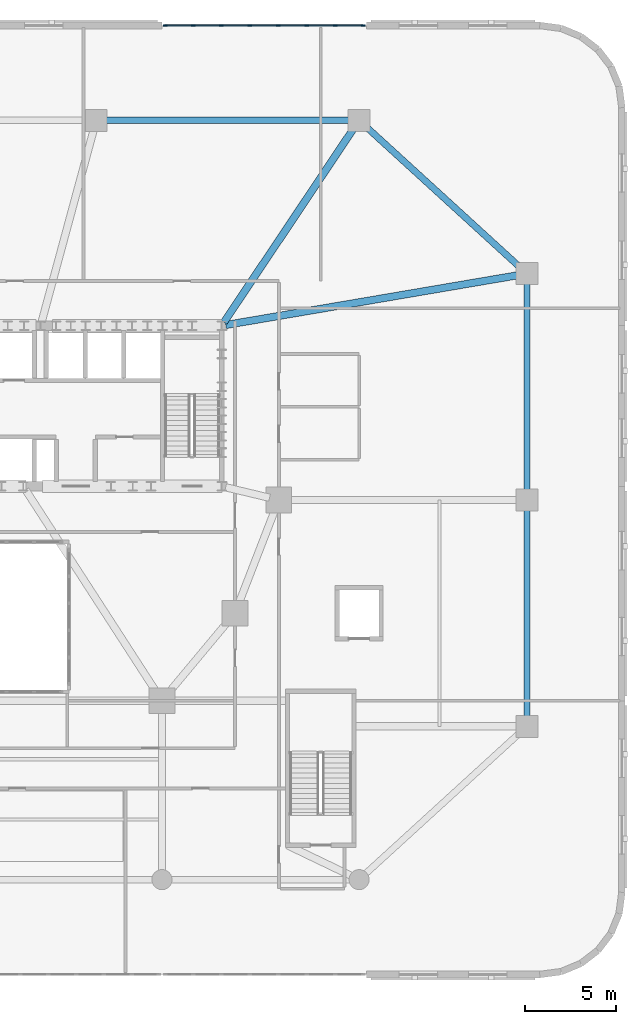
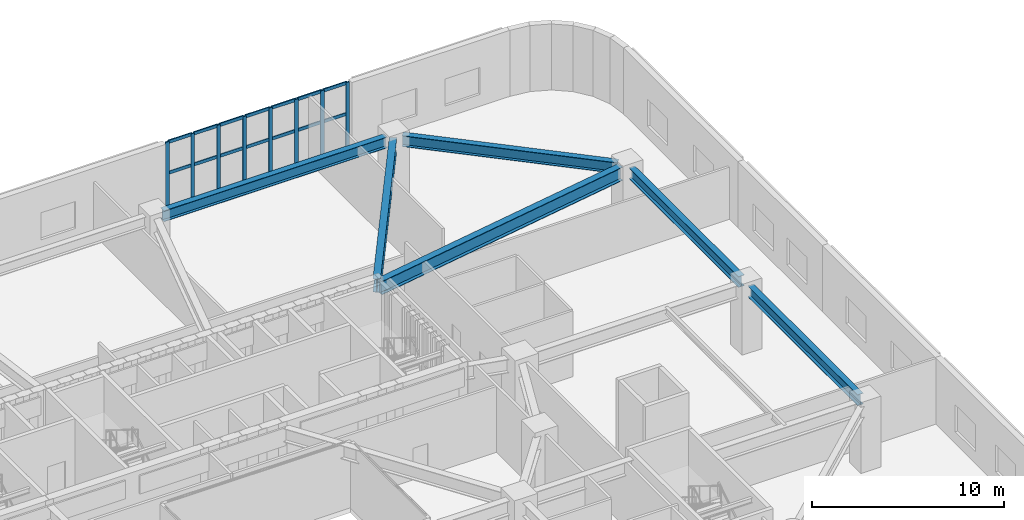
# One storey, part 10 of 25: 29 members, 6 beams, 1 element without a shape of its own.
"""IFC4 building model written with IfcOpenShell, lengths in metres."""

import ifcopenshell
import ifcopenshell.guid

model = None  # the IFC model being written
_history = None  # IfcOwnerHistory: only IFC2X3 demands one
_inside = {}  # id of a spatial element -> (the spatial element, [elements in it])
_under = {}  # id of a project, library or spatial element -> (it, [spatial elements below it])
_declared = {}  # id of a project -> (the project, [libraries it declares])
_typed = {}  # id of a type object -> (the type object, [elements of that type])
_made_of = {}  # id of a material, layer set ... -> (it, [elements and type objects made of it])


def new_model(schema):
    """Start an empty IFC model of exactly this schema.

    Asked for "IFC4X3", IfcOpenShell would pick the latest addendum, in which some entities
    have other attributes; the version numbers below select the first issue.
    IFC2X3 requires an IfcOwnerHistory on every rooted entity: one is made here for all.
    """
    global model, _history
    if schema == "IFC4X3":
        model = ifcopenshell.file(schema_version=(4, 3, 0, 0))
    else:
        model = ifcopenshell.file(schema=schema)
    _inside.clear()
    _under.clear()
    _declared.clear()
    _typed.clear()
    _made_of.clear()
    _history = None
    if model.schema == "IFC2X3":
        org = make("IfcOrganization", Name="unknown")
        user = make(
            "IfcPersonAndOrganization",
            ThePerson=make("IfcPerson", FamilyName="unknown"),
            TheOrganization=org,
        )
        app = make(
            "IfcApplication",
            ApplicationDeveloper=org,
            Version="unknown",
            ApplicationFullName="unknown",
            ApplicationIdentifier="unknown",
        )
        _history = make(
            "IfcOwnerHistory",
            OwningUser=user,
            OwningApplication=app,
            ChangeAction="ADDED",
            CreationDate=0,
        )
    return model


def make(cls, **values):
    """One entity of the class cls with the attributes given. An attribute that is None is left unset."""
    return model.create_entity(
        cls, **{name: value for name, value in values.items() if value is not None}
    )


def rooted(cls, **values):
    """An entity with a GlobalId (a new one), such as an element, a storey or a relation."""
    return make(cls, GlobalId=ifcopenshell.guid.new(), OwnerHistory=_history, **values)


def si_unit(unit_type, name, prefix=None):
    """IfcSIUnit, for example si_unit("LENGTHUNIT", "METRE", prefix="MILLI")."""
    return make("IfcSIUnit", UnitType=unit_type, Prefix=prefix, Name=name)


def assignment(units):
    """IfcUnitAssignment: the units of a project."""
    return None if units is None else make("IfcUnitAssignment", Units=units)


def point(xyz):
    """IfcCartesianPoint."""
    return None if xyz is None else make("IfcCartesianPoint", Coordinates=xyz)


def direction(xyz):
    """IfcDirection."""
    return None if xyz is None else make("IfcDirection", DirectionRatios=xyz)


def frame(location, z_axis=None, x_axis=None):
    """IfcAxis2Placement3D, a coordinate frame: its origin and axes. An axis left out is left unset."""
    return make(
        "IfcAxis2Placement3D",
        Location=point(location),
        Axis=direction(z_axis),
        RefDirection=direction(x_axis),
    )


def frame_2d(location, x_axis=None):
    """IfcAxis2Placement2D, a coordinate frame in the plane: its origin and x axis."""
    return make(
        "IfcAxis2Placement2D", Location=point(location), RefDirection=direction(x_axis)
    )


def origin():
    """The frame at (0, 0, 0) with its axes left unset."""
    return frame((0.0, 0.0, 0.0))


def origin_2d():
    """The frame at (0, 0) in the plane with its x axis left unset."""
    return frame_2d((0.0, 0.0))


def place(relative_to, where):
    """IfcLocalPlacement: puts the frame where relative to a parent placement (None: the world)."""
    return make(
        "IfcLocalPlacement", PlacementRelTo=relative_to, RelativePlacement=where
    )


def context(
    kind, dimensions, precision=None, world=None, true_north=None, identifier=None
):
    """IfcGeometricRepresentationContext, for example the 3D "Model" context."""
    return make(
        "IfcGeometricRepresentationContext",
        ContextIdentifier=identifier,
        ContextType=kind,
        CoordinateSpaceDimension=dimensions,
        Precision=precision,
        WorldCoordinateSystem=world,
        TrueNorth=true_north,
    )


def subcontext(parent, identifier, kind, view, scale=None):
    """IfcGeometricRepresentationSubContext, for example "Body" below "Model"."""
    return make(
        "IfcGeometricRepresentationSubContext",
        ContextIdentifier=identifier,
        ContextType=kind,
        ParentContext=parent,
        TargetScale=scale,
        TargetView=view,
    )


def project(units=None, contexts=None):
    """IfcProject with its units and contexts."""
    return rooted(
        "IfcProject",
        Name="project",
        RepresentationContexts=contexts,
        UnitsInContext=assignment(units),
    )


def spatial(cls, under=None, at=None, **own):
    """A site, building, storey or space (cls), placed at a placement, below another one or the project."""
    s = rooted(cls, ObjectPlacement=at, **own)
    if under is not None:
        _under.setdefault(under.id(), (under, []))[1].append(s)
    return s


def profile(cls, at=None, kind="AREA", **sizes):
    """A parametric profile (cls). Its sizes go by their IFC names, for example OverallWidth=200.0."""
    return make(cls, ProfileType=kind, Position=at, **sizes)


def rectangle(**sizes):
    """IfcRectangleProfileDef."""
    return profile("IfcRectangleProfileDef", **sizes)


def i_section(**sizes):
    """IfcIShapeProfileDef."""
    return profile("IfcIShapeProfileDef", **sizes)


def extrude(swept, where, along, depth):
    """IfcExtrudedAreaSolid: the profile swept, set in the frame where, extruded along a direction by depth."""
    return make(
        "IfcExtrudedAreaSolid",
        SweptArea=swept,
        Position=where,
        ExtrudedDirection=direction(along),
        Depth=depth,
    )


def shape(context_of_items, identifier, shape_type, items):
    """IfcShapeRepresentation: the items that make up one representation, for example the "Body"."""
    return make(
        "IfcShapeRepresentation",
        ContextOfItems=context_of_items,
        RepresentationIdentifier=identifier,
        RepresentationType=shape_type,
        Items=items,
    )


def material(Name=None, Category=None):
    """IfcMaterial."""
    return make("IfcMaterial", Name=Name, Category=Category)


def material_profile(
    of_material, cross_section, Name=None, Category=None, Priority=None
):
    """IfcMaterialProfile: a cross section and its material."""
    return make(
        "IfcMaterialProfile",
        Name=Name,
        Material=of_material,
        Profile=cross_section,
        Priority=Priority,
        Category=Category,
    )


def profile_set(profiles, Name=None, composite=None):
    """IfcMaterialProfileSet."""
    return make(
        "IfcMaterialProfileSet",
        Name=Name,
        MaterialProfiles=profiles,
        CompositeProfile=composite,
    )


def made_of(thing, what):
    """Note that an element or type object is made of a material, layer set ...; save() writes the relation."""
    if what is not None:
        _made_of.setdefault(what.id(), (what, []))[1].append(thing)
    return thing


def type_object(cls, material=None, **own):
    """A type object (cls), such as IfcWallType, which elements share."""
    return made_of(rooted(cls, **own), material)


def element(
    cls,
    number,
    at=None,
    inside=None,
    cuts=None,
    type_object=None,
    material=None,
    context=None,
    identifier="Body",
    shape_type=None,
    held_by="IfcProductDefinitionShape",
    body=None,
    shapes=None,
    **own,
):
    """One element of the class cls, such as IfcWall. Its Tag is "e" and its number.

    at: its placement. inside: the storey or other place that contains it. cuts: it is an
    opening in that element (IfcRelVoidsElement). A single representation is given by context,
    identifier, shape_type and body (its items); several are given by shapes. held_by: the class
    of the entity that holds the representations. save() writes the other relations.
    """
    e = rooted(cls, Tag="e%d" % number, ObjectPlacement=at, **own)
    if body is not None:
        shapes = [shape(context, identifier, shape_type, body)]
    if shapes is not None:
        e.Representation = make(held_by, Representations=shapes)
    if inside is not None:
        _inside.setdefault(inside.id(), (inside, []))[1].append(e)
    if cuts is not None:
        rooted(
            "IfcRelVoidsElement", RelatingBuildingElement=cuts, RelatedOpeningElement=e
        )
    if type_object is not None:
        _typed.setdefault(type_object.id(), (type_object, []))[1].append(e)
    return made_of(e, material)


def aggregate(whole, parts):
    """IfcRelAggregates: a whole, such as a stair, and the parts it consists of."""
    return rooted("IfcRelAggregates", RelatingObject=whole, RelatedObjects=parts)


def save(model, path):
    """Write the relations noted so far, then the file.

    IfcRelAggregates (storeys below a building ...), IfcRelContainedInSpatialStructure (elements
    in a storey), IfcRelDefinesByType, IfcRelAssociatesMaterial and IfcRelDeclares: one each for
    every whole, place, type object, material and project.
    """
    for whole, parts in _under.values():
        aggregate(whole, parts)
    for where, things in _inside.values():
        rooted(
            "IfcRelContainedInSpatialStructure",
            RelatedElements=things,
            RelatingStructure=where,
        )
    for kind, things in _typed.values():
        rooted("IfcRelDefinesByType", RelatedObjects=things, RelatingType=kind)
    for what, things in _made_of.values():
        rooted("IfcRelAssociatesMaterial", RelatedObjects=things, RelatingMaterial=what)
    for by, libraries in _declared.values():
        rooted("IfcRelDeclares", RelatingContext=by, RelatedDefinitions=libraries)
    model.write(path)


model = new_model("IFC4")

# Units and contexts
model_context = context("Model", 3, precision=1e-05, world=origin(), true_north=direction((0.0, 1.0)))
body_context = subcontext(model_context, "Body", "Model", "MODEL_VIEW")
ifc_project = project(units=[si_unit("LENGTHUNIT", "METRE"), si_unit("AREAUNIT", "SQUARE_METRE"), si_unit("VOLUMEUNIT", "CUBIC_METRE"), si_unit("PLANEANGLEUNIT", "RADIAN"), si_unit("MASSUNIT", "GRAM", prefix="KILO")], contexts=[model_context])

# Site, building, storey
site_placement = place(None, origin())
site = spatial("IfcSite", under=ifc_project, at=site_placement, CompositionType="ELEMENT")
building_placement = place(site_placement, origin())
building = spatial("IfcBuilding", under=site, at=building_placement, Name="Haldorwick Loom Tower", CompositionType="ELEMENT")
storey_placement = place(building_placement, frame((0.0, 0.0, 6.0)))
storey = spatial("IfcBuildingStorey", under=building, at=storey_placement, Name="L01", CompositionType="ELEMENT", Elevation=6.0)

# Curtain wall, members
ifc_material_1 = material(Name="Thermally Broken Anodized Aluminium Curtain Wall Framing", Category="aluminium")
curtain_wall_type = type_object("IfcCurtainWallType", Name="ARC-CW-01", PredefinedType="NOTDEFINED", material=ifc_material_1)
curtain_wall_placement = place(storey_placement, origin())
curtain_wall = element("IfcCurtainWall", 1, at=curtain_wall_placement, inside=storey, type_object=curtain_wall_type, Name="L01 Facade Curtain Wall CW-01 Bay 18", PredefinedType="NOTDEFINED")
ifc_material_profile_1 = material_profile(ifc_material_1, rectangle(XDim=0.074951171875, YDim=0.219970703125, at=origin_2d()), Name="ALU_MUL_75X220", Category="aluminium")
ifc_profile_set_1 = profile_set([ifc_material_profile_1], Name="Thermally Broken Anodized Aluminium Curtain Wall Framing")
member_type_1 = type_object("IfcMemberType", Name="ARC-CWM-01", PredefinedType="MULLION", material=ifc_profile_set_1)
member_1_placement = place(storey_placement, frame((57.822509765625, 52.0, 0.0), z_axis=(0.0, 0.0, 1.0), x_axis=(0.0, -1.0, 0.0)))
member_1 = element("IfcMember", 2, at=member_1_placement, type_object=member_type_1, Name="CW-01 mullion 1", PredefinedType="MULLION", context=body_context, shape_type="SweptSolid", body=[
    extrude(rectangle(XDim=0.074951171875, YDim=0.219970703125, at=origin_2d()), origin(), (0.0, 0.0, 1.0), 4.199951171875),
])
member_2_placement = place(storey_placement, frame((56.300048828125, 52.0, 0.0), z_axis=(0.0, 0.0, 1.0), x_axis=(0.0, -1.0, 0.0)))
member_2 = element("IfcMember", 3, at=member_2_placement, type_object=member_type_1, Name="CW-01 mullion 2", PredefinedType="MULLION", context=body_context, shape_type="SweptSolid", body=[
    extrude(rectangle(XDim=0.074951171875, YDim=0.219970703125, at=origin_2d()), origin(), (0.0, 0.0, 1.0), 4.199951171875),
])
member_3_placement = place(storey_placement, frame((54.739990234375, 52.0, 0.0), z_axis=(0.0, 0.0, 1.0), x_axis=(0.0, -1.0, 0.0)))
member_3 = element("IfcMember", 4, at=member_3_placement, type_object=member_type_1, Name="CW-01 mullion 3", PredefinedType="MULLION", context=body_context, shape_type="SweptSolid", body=[
    extrude(rectangle(XDim=0.074951171875, YDim=0.219970703125, at=origin_2d()), origin(), (0.0, 0.0, 1.0), 4.199951171875),
])
member_4_placement = place(storey_placement, frame((53.179931640625, 52.0, 0.0), z_axis=(0.0, 0.0, 1.0), x_axis=(0.0, -1.0, 0.0)))
member_4 = element("IfcMember", 5, at=member_4_placement, type_object=member_type_1, Name="CW-01 mullion 4", PredefinedType="MULLION", context=body_context, shape_type="SweptSolid", body=[
    extrude(rectangle(XDim=0.074951171875, YDim=0.219970703125, at=origin_2d()), origin(), (0.0, 0.0, 1.0), 4.199951171875),
])
member_5_placement = place(storey_placement, frame((51.6201171875, 52.0, 0.0), z_axis=(0.0, 0.0, 1.0), x_axis=(0.0, -1.0, 0.0)))
member_5 = element("IfcMember", 6, at=member_5_placement, type_object=member_type_1, Name="CW-01 mullion 5", PredefinedType="MULLION", context=body_context, shape_type="SweptSolid", body=[
    extrude(rectangle(XDim=0.074951171875, YDim=0.219970703125, at=origin_2d()), origin(), (0.0, 0.0, 1.0), 4.199951171875),
])
member_6_placement = place(storey_placement, frame((50.06005859375, 52.0, 0.0), z_axis=(0.0, 0.0, 1.0), x_axis=(0.0, -1.0, 0.0)))
member_6 = element("IfcMember", 7, at=member_6_placement, type_object=member_type_1, Name="CW-01 mullion 6", PredefinedType="MULLION", context=body_context, shape_type="SweptSolid", body=[
    extrude(rectangle(XDim=0.074951171875, YDim=0.219970703125, at=origin_2d()), origin(), (0.0, 0.0, 1.0), 4.199951171875),
])
member_7_placement = place(storey_placement, frame((48.5, 52.0, 0.0), z_axis=(0.0, 0.0, 1.0), x_axis=(0.0, -1.0, 0.0)))
member_7 = element("IfcMember", 8, at=member_7_placement, type_object=member_type_1, Name="CW-01 mullion 7", PredefinedType="MULLION", context=body_context, shape_type="SweptSolid", body=[
    extrude(rectangle(XDim=0.074951171875, YDim=0.219970703125, at=origin_2d()), origin(), (0.0, 0.0, 1.0), 4.199951171875),
])
member_8_placement = place(storey_placement, frame((46.9775390625, 52.0, 0.0), z_axis=(0.0, 0.0, 1.0), x_axis=(0.0, -1.0, 0.0)))
member_8 = element("IfcMember", 9, at=member_8_placement, type_object=member_type_1, Name="CW-01 mullion 8", PredefinedType="MULLION", context=body_context, shape_type="SweptSolid", body=[
    extrude(rectangle(XDim=0.074951171875, YDim=0.219970703125, at=origin_2d()), origin(), (0.0, 0.0, 1.0), 4.199951171875),
])
ifc_material_profile_2 = material_profile(ifc_material_1, rectangle(XDim=0.074951171875, YDim=0.199951171875, at=origin_2d()), Name="ALU_TRN_75X200", Category="aluminium")
ifc_profile_set_2 = profile_set([ifc_material_profile_2], Name="Thermally Broken Anodized Aluminium Curtain Wall Framing")
member_type_2 = type_object("IfcMemberType", Name="ARC-CWT-01", PredefinedType="USERDEFINED", material=ifc_profile_set_2)
member_9_placement = place(storey_placement, frame((57.784912109375, 52.0, 0.03759765625), z_axis=(-1.0, 0.0, 0.0), x_axis=(0.0, -1.0, 0.0)))
member_9 = element("IfcMember", 10, at=member_9_placement, type_object=member_type_2, Name="CW-01 transom 1.1", ObjectType="TRANSOM", PredefinedType="USERDEFINED", context=body_context, shape_type="SweptSolid", body=[
    extrude(rectangle(XDim=0.074951171875, YDim=0.199951171875, at=origin_2d()), origin(), (0.0, 0.0, 1.0), 1.447509765625),
])
member_10_placement = place(storey_placement, frame((57.784912109375, 52.0, 2.199951171875), z_axis=(-1.0, 0.0, 0.0), x_axis=(0.0, -1.0, 0.0)))
member_10 = element("IfcMember", 11, at=member_10_placement, type_object=member_type_2, Name="CW-01 transom 1.2", ObjectType="TRANSOM", PredefinedType="USERDEFINED", context=body_context, shape_type="SweptSolid", body=[
    extrude(rectangle(XDim=0.074951171875, YDim=0.199951171875, at=origin_2d()), origin(), (0.0, 0.0, 1.0), 1.447509765625),
])
member_11_placement = place(storey_placement, frame((57.784912109375, 52.0, 4.16259765625), z_axis=(-1.0, 0.0, 0.0), x_axis=(0.0, -1.0, 0.0)))
member_11 = element("IfcMember", 12, at=member_11_placement, type_object=member_type_2, Name="CW-01 transom 1.3", ObjectType="TRANSOM", PredefinedType="USERDEFINED", context=body_context, shape_type="SweptSolid", body=[
    extrude(rectangle(XDim=0.074951171875, YDim=0.199951171875, at=origin_2d()), origin(), (0.0, 0.0, 1.0), 1.447509765625),
])
member_12_placement = place(storey_placement, frame((56.262451171875, 52.0, 0.03759765625), z_axis=(-1.0, 0.0, 0.0), x_axis=(0.0, -1.0, 0.0)))
member_12 = element("IfcMember", 13, at=member_12_placement, type_object=member_type_2, Name="CW-01 transom 2.1", ObjectType="TRANSOM", PredefinedType="USERDEFINED", context=body_context, shape_type="SweptSolid", body=[
    extrude(rectangle(XDim=0.074951171875, YDim=0.199951171875, at=origin_2d()), origin(), (0.0, 0.0, 1.0), 1.48486328125),
])
member_13_placement = place(storey_placement, frame((56.262451171875, 52.0, 2.199951171875), z_axis=(-1.0, 0.0, 0.0), x_axis=(0.0, -1.0, 0.0)))
member_13 = element("IfcMember", 14, at=member_13_placement, type_object=member_type_2, Name="CW-01 transom 2.2", ObjectType="TRANSOM", PredefinedType="USERDEFINED", context=body_context, shape_type="SweptSolid", body=[
    extrude(rectangle(XDim=0.074951171875, YDim=0.199951171875, at=origin_2d()), origin(), (0.0, 0.0, 1.0), 1.48486328125),
])
member_14_placement = place(storey_placement, frame((56.262451171875, 52.0, 4.16259765625), z_axis=(-1.0, 0.0, 0.0), x_axis=(0.0, -1.0, 0.0)))
member_14 = element("IfcMember", 15, at=member_14_placement, type_object=member_type_2, Name="CW-01 transom 2.3", ObjectType="TRANSOM", PredefinedType="USERDEFINED", context=body_context, shape_type="SweptSolid", body=[
    extrude(rectangle(XDim=0.074951171875, YDim=0.199951171875, at=origin_2d()), origin(), (0.0, 0.0, 1.0), 1.48486328125),
])
member_15_placement = place(storey_placement, frame((54.702392578125, 52.0, 0.03759765625), z_axis=(-1.0, 0.0, 0.0), x_axis=(0.0, -1.0, 0.0)))
member_15 = element("IfcMember", 16, at=member_15_placement, type_object=member_type_2, Name="CW-01 transom 3.1", ObjectType="TRANSOM", PredefinedType="USERDEFINED", context=body_context, shape_type="SweptSolid", body=[
    extrude(rectangle(XDim=0.074951171875, YDim=0.199951171875, at=origin_2d()), origin(), (0.0, 0.0, 1.0), 1.48486328125),
])
member_16_placement = place(storey_placement, frame((54.702392578125, 52.0, 2.199951171875), z_axis=(-1.0, 0.0, 0.0), x_axis=(0.0, -1.0, 0.0)))
member_16 = element("IfcMember", 17, at=member_16_placement, type_object=member_type_2, Name="CW-01 transom 3.2", ObjectType="TRANSOM", PredefinedType="USERDEFINED", context=body_context, shape_type="SweptSolid", body=[
    extrude(rectangle(XDim=0.074951171875, YDim=0.199951171875, at=origin_2d()), origin(), (0.0, 0.0, 1.0), 1.48486328125),
])
member_17_placement = place(storey_placement, frame((54.702392578125, 52.0, 4.16259765625), z_axis=(-1.0, 0.0, 0.0), x_axis=(0.0, -1.0, 0.0)))
member_17 = element("IfcMember", 18, at=member_17_placement, type_object=member_type_2, Name="CW-01 transom 3.3", ObjectType="TRANSOM", PredefinedType="USERDEFINED", context=body_context, shape_type="SweptSolid", body=[
    extrude(rectangle(XDim=0.074951171875, YDim=0.199951171875, at=origin_2d()), origin(), (0.0, 0.0, 1.0), 1.48486328125),
])
member_18_placement = place(storey_placement, frame((53.142578125, 52.0, 0.03759765625), z_axis=(-1.0, 0.0, 0.0), x_axis=(0.0, -1.0, 0.0)))
member_18 = element("IfcMember", 19, at=member_18_placement, type_object=member_type_2, Name="CW-01 transom 4.1", ObjectType="TRANSOM", PredefinedType="USERDEFINED", context=body_context, shape_type="SweptSolid", body=[
    extrude(rectangle(XDim=0.074951171875, YDim=0.199951171875, at=origin_2d()), origin(), (0.0, 0.0, 1.0), 1.485107421875),
])
member_19_placement = place(storey_placement, frame((53.142578125, 52.0, 2.199951171875), z_axis=(-1.0, 0.0, 0.0), x_axis=(0.0, -1.0, 0.0)))
member_19 = element("IfcMember", 20, at=member_19_placement, type_object=member_type_2, Name="CW-01 transom 4.2", ObjectType="TRANSOM", PredefinedType="USERDEFINED", context=body_context, shape_type="SweptSolid", body=[
    extrude(rectangle(XDim=0.074951171875, YDim=0.199951171875, at=origin_2d()), origin(), (0.0, 0.0, 1.0), 1.485107421875),
])
member_20_placement = place(storey_placement, frame((53.142578125, 52.0, 4.16259765625), z_axis=(-1.0, 0.0, 0.0), x_axis=(0.0, -1.0, 0.0)))
member_20 = element("IfcMember", 21, at=member_20_placement, type_object=member_type_2, Name="CW-01 transom 4.3", ObjectType="TRANSOM", PredefinedType="USERDEFINED", context=body_context, shape_type="SweptSolid", body=[
    extrude(rectangle(XDim=0.074951171875, YDim=0.199951171875, at=origin_2d()), origin(), (0.0, 0.0, 1.0), 1.485107421875),
])
member_21_placement = place(storey_placement, frame((51.58251953125, 52.0, 0.03759765625), z_axis=(-1.0, 0.0, 0.0), x_axis=(0.0, -1.0, 0.0)))
member_21 = element("IfcMember", 22, at=member_21_placement, type_object=member_type_2, Name="CW-01 transom 5.1", ObjectType="TRANSOM", PredefinedType="USERDEFINED", context=body_context, shape_type="SweptSolid", body=[
    extrude(rectangle(XDim=0.074951171875, YDim=0.199951171875, at=origin_2d()), origin(), (0.0, 0.0, 1.0), 1.485107421875),
])
member_22_placement = place(storey_placement, frame((51.58251953125, 52.0, 2.199951171875), z_axis=(-1.0, 0.0, 0.0), x_axis=(0.0, -1.0, 0.0)))
member_22 = element("IfcMember", 23, at=member_22_placement, type_object=member_type_2, Name="CW-01 transom 5.2", ObjectType="TRANSOM", PredefinedType="USERDEFINED", context=body_context, shape_type="SweptSolid", body=[
    extrude(rectangle(XDim=0.074951171875, YDim=0.199951171875, at=origin_2d()), origin(), (0.0, 0.0, 1.0), 1.485107421875),
])
member_23_placement = place(storey_placement, frame((51.58251953125, 52.0, 4.16259765625), z_axis=(-1.0, 0.0, 0.0), x_axis=(0.0, -1.0, 0.0)))
member_23 = element("IfcMember", 24, at=member_23_placement, type_object=member_type_2, Name="CW-01 transom 5.3", ObjectType="TRANSOM", PredefinedType="USERDEFINED", context=body_context, shape_type="SweptSolid", body=[
    extrude(rectangle(XDim=0.074951171875, YDim=0.199951171875, at=origin_2d()), origin(), (0.0, 0.0, 1.0), 1.485107421875),
])
member_24_placement = place(storey_placement, frame((50.0224609375, 52.0, 0.03759765625), z_axis=(-1.0, 0.0, 0.0), x_axis=(0.0, -1.0, 0.0)))
member_24 = element("IfcMember", 25, at=member_24_placement, type_object=member_type_2, Name="CW-01 transom 6.1", ObjectType="TRANSOM", PredefinedType="USERDEFINED", context=body_context, shape_type="SweptSolid", body=[
    extrude(rectangle(XDim=0.074951171875, YDim=0.199951171875, at=origin_2d()), origin(), (0.0, 0.0, 1.0), 1.48486328125),
])
member_25_placement = place(storey_placement, frame((50.0224609375, 52.0, 2.199951171875), z_axis=(-1.0, 0.0, 0.0), x_axis=(0.0, -1.0, 0.0)))
member_25 = element("IfcMember", 26, at=member_25_placement, type_object=member_type_2, Name="CW-01 transom 6.2", ObjectType="TRANSOM", PredefinedType="USERDEFINED", context=body_context, shape_type="SweptSolid", body=[
    extrude(rectangle(XDim=0.074951171875, YDim=0.199951171875, at=origin_2d()), origin(), (0.0, 0.0, 1.0), 1.48486328125),
])
member_26_placement = place(storey_placement, frame((50.0224609375, 52.0, 4.16259765625), z_axis=(-1.0, 0.0, 0.0), x_axis=(0.0, -1.0, 0.0)))
member_26 = element("IfcMember", 27, at=member_26_placement, type_object=member_type_2, Name="CW-01 transom 6.3", ObjectType="TRANSOM", PredefinedType="USERDEFINED", context=body_context, shape_type="SweptSolid", body=[
    extrude(rectangle(XDim=0.074951171875, YDim=0.199951171875, at=origin_2d()), origin(), (0.0, 0.0, 1.0), 1.48486328125),
])
member_27_placement = place(storey_placement, frame((48.46240234375, 52.0, 0.03759765625), z_axis=(-1.0, 0.0, 0.0), x_axis=(0.0, -1.0, 0.0)))
member_27 = element("IfcMember", 28, at=member_27_placement, type_object=member_type_2, Name="CW-01 transom 7.1", ObjectType="TRANSOM", PredefinedType="USERDEFINED", context=body_context, shape_type="SweptSolid", body=[
    extrude(rectangle(XDim=0.074951171875, YDim=0.199951171875, at=origin_2d()), origin(), (0.0, 0.0, 1.0), 1.447509765625),
])
member_28_placement = place(storey_placement, frame((48.46240234375, 52.0, 2.199951171875), z_axis=(-1.0, 0.0, 0.0), x_axis=(0.0, -1.0, 0.0)))
member_28 = element("IfcMember", 29, at=member_28_placement, type_object=member_type_2, Name="CW-01 transom 7.2", ObjectType="TRANSOM", PredefinedType="USERDEFINED", context=body_context, shape_type="SweptSolid", body=[
    extrude(rectangle(XDim=0.074951171875, YDim=0.199951171875, at=origin_2d()), origin(), (0.0, 0.0, 1.0), 1.447509765625),
])
member_29_placement = place(storey_placement, frame((48.46240234375, 52.0, 4.16259765625), z_axis=(-1.0, 0.0, 0.0), x_axis=(0.0, -1.0, 0.0)))
member_29 = element("IfcMember", 30, at=member_29_placement, type_object=member_type_2, Name="CW-01 transom 7.3", ObjectType="TRANSOM", PredefinedType="USERDEFINED", context=body_context, shape_type="SweptSolid", body=[
    extrude(rectangle(XDim=0.074951171875, YDim=0.199951171875, at=origin_2d()), origin(), (0.0, 0.0, 1.0), 1.447509765625),
])
aggregate(curtain_wall, [member_1, member_2, member_3, member_4, member_5, member_6, member_7, member_8, member_9, member_10, member_11, member_12, member_13, member_14, member_15, member_16, member_17, member_18, member_19, member_20, member_21, member_22, member_23, member_24, member_25, member_26, member_27, member_28, member_29])

# Beams
ifc_material_2 = material(Name="Steel CSA G40.21 350W", Category="steel")
ifc_material_profile_3 = material_profile(ifc_material_2, i_section(OverallWidth=0.35498046875, OverallDepth=0.695068359375, WebThickness=0.015380859375, FlangeThickness=0.02490234375, at=origin_2d()), Name="W690X217", Category="steel")
ifc_profile_set_3 = profile_set([ifc_material_profile_3], Name="Steel CSA G40.21 350W")
beam_type_1 = type_object("IfcBeamType", Name="STR-BM-SP690", PredefinedType="SPANDREL", material=ifc_profile_set_3)
for number, where, z_axis, x_axis, name in (
    (31, (66.800048828125, 14.080078125, 3.8525390625), (0.0, 1.0, 0.0), (-1.0, 0.0, 0.0), "L01 Podium Spandrel PSP-E1"),
    (32, (66.800048828125, 26.47998046875, 3.8525390625), (0.0, 1.0, 0.0), (-1.0, 0.0, 0.0), "L01 Podium Spandrel PSP-E2"),
):
    element("IfcBeam", number, at=place(storey_placement, frame(where, z_axis=z_axis, x_axis=x_axis)), inside=storey, type_object=beam_type_1, Name=name, PredefinedType="SPANDREL", context=body_context, shape_type="SweptSolid", body=[
        extrude(i_section(OverallWidth=0.35498046875, OverallDepth=0.695068359375, WebThickness=0.015380859375, FlangeThickness=0.02490234375, at=origin_2d()), origin(), (0.0, 0.0, 1.0), 11.43994140625),
    ])
beam_1_placement = place(storey_placement, frame((66.445556640625, 38.7236328125, 3.8525390625), z_axis=(-0.738482735745, 0.674272384876, 0.0), x_axis=(-0.674272384876, -0.738482735745, 0.0)))
element("IfcBeam", 33, at=beam_1_placement, inside=storey, type_object=beam_type_1, Name="L01 Podium Spandrel PSP-E3", PredefinedType="SPANDREL", context=body_context, shape_type="SweptSolid", body=[
    extrude(i_section(OverallWidth=0.35498046875, OverallDepth=0.695068359375, WebThickness=0.015380859375, FlangeThickness=0.02490234375, at=origin_2d()), origin(), (0.0, 0.0, 1.0), 11.497802734375),
])
beam_2_placement = place(storey_placement, frame((57.1201171875, 46.800048828125, 3.8525390625), z_axis=(-1.0, 0.0, 0.0), x_axis=(0.0, -1.0, 0.0)))
element("IfcBeam", 34, at=beam_2_placement, inside=storey, type_object=beam_type_1, Name="L01 Podium Spandrel PSP-N1", PredefinedType="SPANDREL", context=body_context, shape_type="SweptSolid", body=[
    extrude(i_section(OverallWidth=0.35498046875, OverallDepth=0.695068359375, WebThickness=0.015380859375, FlangeThickness=0.02490234375, at=origin_2d()), origin(), (0.0, 0.0, 1.0), 13.440185546875),
])
ifc_material_profile_4 = material_profile(ifc_material_2, i_section(OverallWidth=0.39990234375, OverallDepth=0.85498046875, WebThickness=0.018310546875, FlangeThickness=0.029296875, at=origin_2d()), Name="W840X299", Category="steel")
ifc_profile_set_4 = profile_set([ifc_material_profile_4], Name="Steel CSA G40.21 350W")
beam_type_2 = type_object("IfcBeamType", Name="STR-BM-W840", PredefinedType="BEAM", material=ifc_profile_set_4)
beam_3_placement = place(storey_placement, frame((50.291748046875, 35.587890625, 3.7724609375), z_axis=(0.985799279017, 0.167927905632, 0.0), x_axis=(-0.167927905632, 0.985799279017, 0.0)))
element("IfcBeam", 35, at=beam_3_placement, inside=storey, type_object=beam_type_2, Name="L01 Podium Primary Girder PG-11", PredefinedType="BEAM", context=body_context, shape_type="SweptSolid", body=[
    extrude(i_section(OverallWidth=0.39990234375, OverallDepth=0.85498046875, WebThickness=0.018310546875, FlangeThickness=0.029296875, at=origin_2d()), origin(), (0.0, 0.0, 1.0), 16.296142578125),
])
beam_4_placement = place(storey_placement, frame((57.349609375, 46.426025390625, 3.7724609375), z_axis=(-0.556223597649, -0.831032676504, 0.0), x_axis=(0.831032676504, -0.556223597649, 0.0)))
element("IfcBeam", 36, at=beam_4_placement, inside=storey, type_object=beam_type_2, Name="L01 Podium Primary Girder PG-15", PredefinedType="BEAM", context=body_context, shape_type="SweptSolid", body=[
    extrude(i_section(OverallWidth=0.39990234375, OverallDepth=0.85498046875, WebThickness=0.018310546875, FlangeThickness=0.029296875, at=origin_2d()), origin(), (0.0, 0.0, 1.0), 12.8623046875),
])

save(model, "model.ifc")
